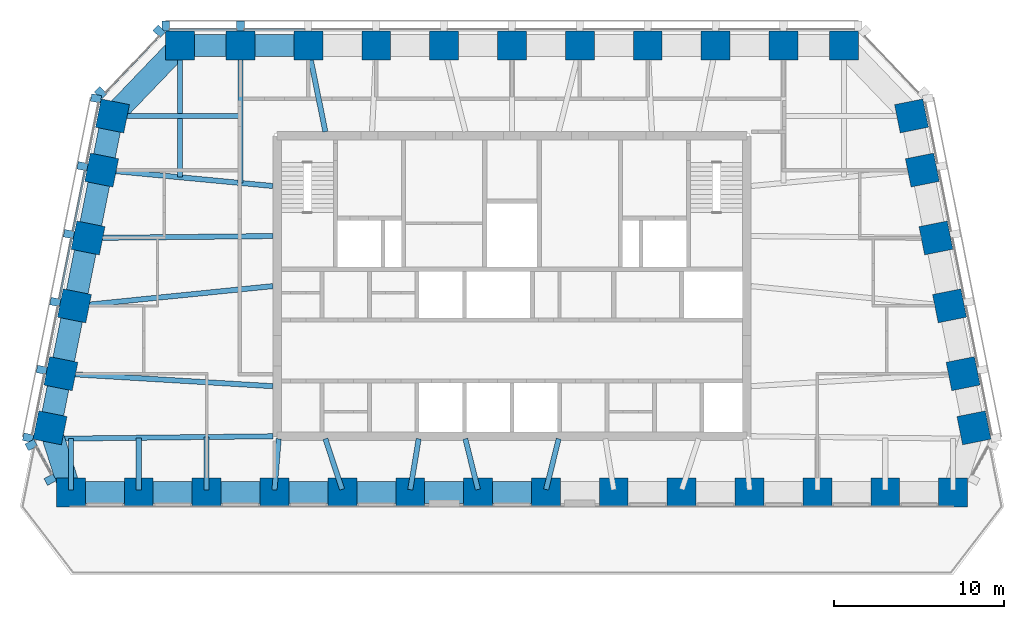
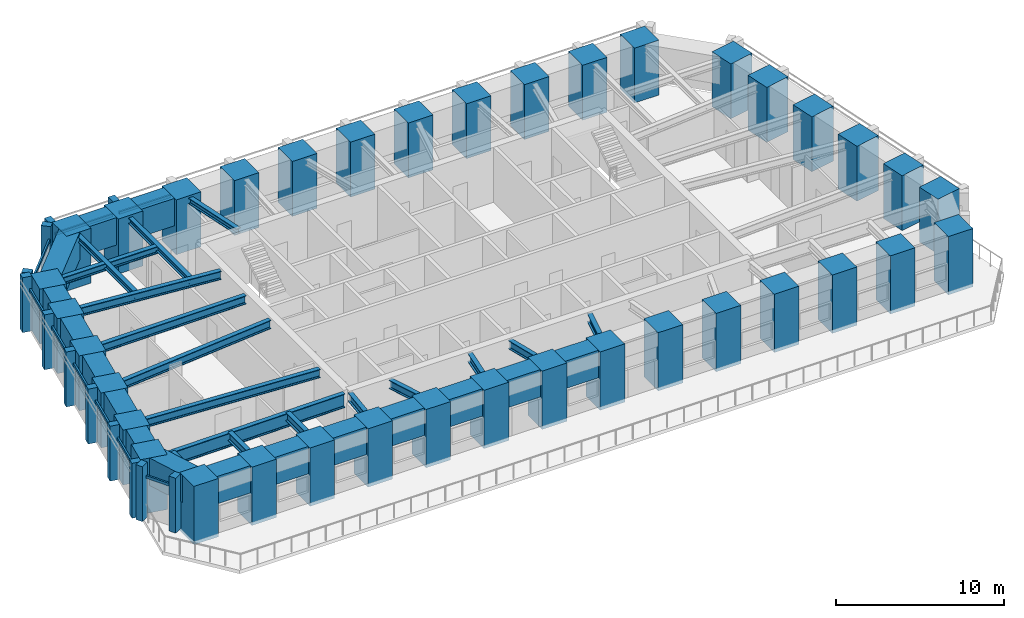
# One storey, part 1 of 9: 37 columns, 33 beams, 21 members, 4 elements without a shape of their own.
"""IFC4 building model written with IfcOpenShell, lengths in metres."""

from ifc_helpers import new_model, si_unit, direction, frame, origin, origin_2d, place, context, subcontext, project, spatial, rectangle, i_section, extrude, material, material_profile, profile_set, type_object, element, aggregate, save


model = new_model("IFC4")

# Units and contexts
model_context = context("Model", 3, precision=1e-05, world=origin(), true_north=direction((0.0, 1.0)))
body_context = subcontext(model_context, "Body", "Model", "MODEL_VIEW")
ifc_project = project(units=[si_unit("LENGTHUNIT", "METRE"), si_unit("AREAUNIT", "SQUARE_METRE"), si_unit("VOLUMEUNIT", "CUBIC_METRE"), si_unit("PLANEANGLEUNIT", "RADIAN"), si_unit("MASSUNIT", "GRAM", prefix="KILO")], contexts=[model_context])

# Site, building, storey
site_placement = place(None, origin())
site = spatial("IfcSite", under=ifc_project, at=site_placement, CompositionType="ELEMENT")
building_placement = place(site_placement, origin())
building = spatial("IfcBuilding", under=site, at=building_placement, Name="Isbrekke Arena Tower", CompositionType="ELEMENT")
storey_placement = place(building_placement, frame((0.0, 0.0, 308.0)))
storey = spatial("IfcBuildingStorey", under=building, at=storey_placement, Name="L72", CompositionType="ELEMENT", Elevation=308.0)

# Columns
ifc_material_1 = material(Name="Concrete B55 (C55/67)", Category="concrete")
ifc_material_profile_1 = material_profile(ifc_material_1, rectangle(XDim=1.699951171875, YDim=1.699951171875, at=origin_2d()), Name="RC 1700x1700")
ifc_profile_set_1 = profile_set([ifc_material_profile_1], Name="Concrete B55 (C55/67)")
column_type = type_object("IfcColumnType", Name="C5 RC 1700 x 1700", PredefinedType="COLUMN", material=ifc_profile_set_1)
for number, where, z_axis, x_axis, name in (
    (1, (-26.0, 2.824951171875, -0.25), (0.0, 0.0, 1.0), (1.0, 0.0, 0.0), "C5 S01"),
    (2, (-22.0, 2.824951171875, -0.25), (0.0, 0.0, 1.0), (1.0, 0.0, 0.0), "C5 S02"),
    (3, (-18.0, 2.824951171875, -0.25), (0.0, 0.0, 1.0), (1.0, 0.0, 0.0), "C5 S03"),
    (4, (-14.0, 2.824951171875, -0.25), (0.0, 0.0, 1.0), (1.0, 0.0, 0.0), "C5 S04"),
    (5, (-10.0, 2.824951171875, -0.25), (0.0, 0.0, 1.0), (1.0, 0.0, 0.0), "C5 S05"),
    (6, (-6.0, 2.824951171875, -0.25), (0.0, 0.0, 1.0), (1.0, 0.0, 0.0), "C5 S06"),
    (7, (-2.0, 2.824951171875, -0.25), (0.0, 0.0, 1.0), (1.0, 0.0, 0.0), "C5 S07"),
    (8, (2.0, 2.824951171875, -0.25), (0.0, 0.0, 1.0), (1.0, 0.0, 0.0), "C5 S08"),
    (9, (6.0, 2.824951171875, -0.25), (0.0, 0.0, 1.0), (1.0, 0.0, 0.0), "C5 S09"),
    (10, (10.0, 2.824951171875, -0.25), (0.0, 0.0, 1.0), (1.0, 0.0, 0.0), "C5 S10"),
    (11, (14.0, 2.824951171875, -0.25), (0.0, 0.0, 1.0), (1.0, 0.0, 0.0), "C5 S11"),
    (12, (18.0, 2.824951171875, -0.25), (0.0, 0.0, 1.0), (1.0, 0.0, 0.0), "C5 S12"),
    (13, (22.0, 2.824951171875, -0.25), (0.0, 0.0, 1.0), (1.0, 0.0, 0.0), "C5 S13"),
    (14, (26.0, 2.824951171875, -0.25), (0.0, 0.0, 1.0), (1.0, 0.0, 0.0), "C5 S14"),
):
    element("IfcColumn", number, at=place(storey_placement, frame(where, z_axis=z_axis, x_axis=x_axis)), inside=storey, type_object=column_type, Name=name, PredefinedType="COLUMN", context=body_context, shape_type="SweptSolid", body=[
        extrude(rectangle(XDim=1.699951171875, YDim=1.699951171875, at=origin_2d()), origin(), (0.0, 0.0, 1.0), 4.25),
    ])
for number, where, z_axis, x_axis, name in (
    (15, (27.229248046875, 6.647216796875, 0.0), (0.0, 0.0, 1.0), (-0.196116135138, 0.980580675691, 0.0), "C5 E01"),
    (16, (26.591064453125, 9.838134765625, 0.0), (0.0, 0.0, 1.0), (-0.196116135138, 0.980580675691, 0.0), "C5 E02"),
    (17, (25.791015625, 13.838134765625, 0.0), (0.0, 0.0, 1.0), (-0.196116135138, 0.980580675691, 0.0), "C5 E03"),
    (18, (24.990966796875, 17.838134765625, 0.0), (0.0, 0.0, 1.0), (-0.196116135138, 0.980580675691, 0.0), "C5 E04"),
    (19, (24.19091796875, 21.838134765625, 0.0), (0.0, 0.0, 1.0), (-0.196116135138, 0.980580675691, 0.0), "C5 E05"),
    (20, (23.552734375, 25.029296875, 0.0), (0.0, 0.0, 1.0), (-0.196116135138, 0.980580675691, 0.0), "C5 E06"),
    (21, (19.574951171875, 29.175048828125, 0.0), (0.0, 0.0, 1.0), (-1.0, 0.0, 0.0), "C5 N01"),
    (22, (16.0, 29.175048828125, 0.0), (0.0, 0.0, 1.0), (-1.0, 0.0, 0.0), "C5 N02"),
    (23, (12.0, 29.175048828125, 0.0), (0.0, 0.0, 1.0), (-1.0, 0.0, 0.0), "C5 N03"),
    (24, (8.0, 29.175048828125, 0.0), (0.0, 0.0, 1.0), (-1.0, 0.0, 0.0), "C5 N04"),
    (25, (4.0, 29.175048828125, 0.0), (0.0, 0.0, 1.0), (-1.0, 0.0, 0.0), "C5 N05"),
    (26, (0.0, 29.175048828125, 0.0), (0.0, 0.0, 1.0), (-1.0, 0.0, 0.0), "C5 N06"),
    (27, (-4.0, 29.175048828125, 0.0), (0.0, 0.0, 1.0), (-1.0, 0.0, 0.0), "C5 N07"),
    (28, (-8.0, 29.175048828125, 0.0), (0.0, 0.0, 1.0), (-1.0, 0.0, 0.0), "C5 N08"),
    (29, (-12.0, 29.175048828125, 0.0), (0.0, 0.0, 1.0), (-1.0, 0.0, 0.0), "C5 N09"),
    (30, (-16.0, 29.175048828125, 0.0), (0.0, 0.0, 1.0), (-1.0, 0.0, 0.0), "C5 N10"),
    (31, (-19.574951171875, 29.175048828125, 0.0), (0.0, 0.0, 1.0), (-1.0, 0.0, 0.0), "C5 N11"),
    (32, (-23.552734375, 25.029296875, 0.0), (0.0, 0.0, 1.0), (-0.196116135138, -0.980580675691, 0.0), "C5 W01"),
    (33, (-24.19091796875, 21.838134765625, 0.0), (0.0, 0.0, 1.0), (-0.196116135138, -0.980580675691, 0.0), "C5 W02"),
    (34, (-24.990966796875, 17.838134765625, 0.0), (0.0, 0.0, 1.0), (-0.196116135138, -0.980580675691, 0.0), "C5 W03"),
    (35, (-25.791015625, 13.838134765625, 0.0), (0.0, 0.0, 1.0), (-0.196116135138, -0.980580675691, 0.0), "C5 W04"),
    (36, (-26.591064453125, 9.838134765625, 0.0), (0.0, 0.0, 1.0), (-0.196116135138, -0.980580675691, 0.0), "C5 W05"),
    (37, (-27.229248046875, 6.647216796875, 0.0), (0.0, 0.0, 1.0), (-0.196116135138, -0.980580675691, 0.0), "C5 W06"),
):
    element("IfcColumn", number, at=place(storey_placement, frame(where, z_axis=z_axis, x_axis=x_axis)), inside=storey, type_object=column_type, Name=name, PredefinedType="COLUMN", context=body_context, shape_type="SweptSolid", body=[
        extrude(rectangle(XDim=1.699951171875, YDim=1.699951171875, at=origin_2d()), origin(), (0.0, 0.0, 1.0), 4.0),
    ])

# Beams
ifc_material_2 = material(Name="Steel S355", Category="steel")
ifc_material_profile_2 = material_profile(ifc_material_2, i_section(OverallWidth=0.304931640625, OverallDepth=0.6201171875, WebThickness=0.02099609375, FlangeThickness=0.0400390625, FilletRadius=0.027099609375, at=origin_2d()), Name="HEM 600")
ifc_profile_set_2 = profile_set([ifc_material_profile_2], Name="Steel S355")
beam_type_1 = type_object("IfcBeamType", Name="B4 HEM 600", PredefinedType="BEAM", material=ifc_profile_set_2)
beam_1_placement = place(storey_placement, frame((-26.0, 2.97509765625, 3.5400390625), z_axis=(0.0, 1.0, 0.0), x_axis=(-1.0, 0.0, 0.0)))
element("IfcBeam", 38, at=beam_1_placement, inside=storey, type_object=beam_type_1, Name="B4 beam C-S01 L72", PredefinedType="BEAM", context=body_context, shape_type="SweptSolid", body=[
    extrude(i_section(OverallWidth=0.304931640625, OverallDepth=0.6201171875, WebThickness=0.02099609375, FlangeThickness=0.0400390625, FilletRadius=0.027099609375, at=origin_2d()), origin(), (0.0, 0.0, 1.0), 3.0390625),
])
beam_2_placement = place(storey_placement, frame((-22.0, 2.97509765625, 3.5400390625), z_axis=(0.0, 1.0, 0.0), x_axis=(-1.0, 0.0, 0.0)))
element("IfcBeam", 39, at=beam_2_placement, inside=storey, type_object=beam_type_1, Name="B4 beam C-S02 L72", PredefinedType="BEAM", context=body_context, shape_type="SweptSolid", body=[
    extrude(i_section(OverallWidth=0.304931640625, OverallDepth=0.6201171875, WebThickness=0.02099609375, FlangeThickness=0.0400390625, FilletRadius=0.027099609375, at=origin_2d()), origin(), (0.0, 0.0, 1.0), 3.084716796875),
])
beam_3_placement = place(storey_placement, frame((-18.0, 2.97509765625, 3.5400390625), z_axis=(0.0, 1.0, 0.0), x_axis=(-1.0, 0.0, 0.0)))
element("IfcBeam", 40, at=beam_3_placement, inside=storey, type_object=beam_type_1, Name="B4 beam C-S03 L72", PredefinedType="BEAM", context=body_context, shape_type="SweptSolid", body=[
    extrude(i_section(OverallWidth=0.304931640625, OverallDepth=0.6201171875, WebThickness=0.02099609375, FlangeThickness=0.0400390625, FilletRadius=0.027099609375, at=origin_2d()), origin(), (0.0, 0.0, 1.0), 3.13037109375),
])
beam_4_placement = place(storey_placement, frame((-13.9990234375, 2.987548828125, 3.5400390625), z_axis=(0.082383718089, 0.996600683822, 0.0), x_axis=(-0.996600683822, 0.082383718089, 0.0)))
element("IfcBeam", 41, at=beam_4_placement, inside=storey, type_object=beam_type_1, Name="B4 beam C-S04 L72", PredefinedType="BEAM", context=body_context, shape_type="SweptSolid", body=[
    extrude(i_section(OverallWidth=0.304931640625, OverallDepth=0.6201171875, WebThickness=0.02099609375, FlangeThickness=0.0400390625, FilletRadius=0.027099609375, at=origin_2d()), origin(), (0.0, 0.0, 1.0), 3.022705078125),
])
beam_5_placement = place(storey_placement, frame((-10.01513671875, 3.0205078125, 3.5400390625), z_axis=(-0.313846083605, 0.949473873156, 0.0), x_axis=(-0.949473873156, -0.313846083605, 0.0)))
element("IfcBeam", 42, at=beam_5_placement, inside=storey, type_object=beam_type_1, Name="B4 beam C-S05 L72", PredefinedType="BEAM", context=body_context, shape_type="SweptSolid", body=[
    extrude(i_section(OverallWidth=0.304931640625, OverallDepth=0.6201171875, WebThickness=0.02099609375, FlangeThickness=0.0400390625, FilletRadius=0.027099609375, at=origin_2d()), origin(), (0.0, 0.0, 1.0), 3.137939453125),
])
beam_6_placement = place(storey_placement, frame((-5.995849609375, 2.99951171875, 3.5400390625), z_axis=(0.163044952053, 0.986618641426, 0.0), x_axis=(-0.986618641426, 0.163044952053, 0.0)))
element("IfcBeam", 43, at=beam_6_placement, inside=storey, type_object=beam_type_1, Name="B4 beam C-S06 L72", PredefinedType="BEAM", context=body_context, shape_type="SweptSolid", body=[
    extrude(i_section(OverallWidth=0.304931640625, OverallDepth=0.6201171875, WebThickness=0.02099609375, FlangeThickness=0.0400390625, FilletRadius=0.027099609375, at=origin_2d()), origin(), (0.0, 0.0, 1.0), 3.041259765625),
])
for number, where, z_axis, x_axis, name in (
    (44, (-2.0087890625, 3.0107421875, 3.5400390625), (-0.240669951999, 0.970607013268, 0.0), (-0.970607013268, -0.240669951999, 0.0), "B4 beam C-S07 L72"),
    (45, (2.0087890625, 3.0107421875, 3.5400390625), (0.240669951999, 0.970607013268, 0.0), (-0.970607013268, 0.240669951999, 0.0), "B4 beam C-S08 L72"),
):
    element("IfcBeam", number, at=place(storey_placement, frame(where, z_axis=z_axis, x_axis=x_axis)), inside=storey, type_object=beam_type_1, Name=name, PredefinedType="BEAM", context=body_context, shape_type="SweptSolid", body=[
        extrude(i_section(OverallWidth=0.304931640625, OverallDepth=0.6201171875, WebThickness=0.02099609375, FlangeThickness=0.0400390625, FilletRadius=0.027099609375, at=origin_2d()), origin(), (0.0, 0.0, 1.0), 3.079833984375),
    ])
beam_7_placement = place(storey_placement, frame((-24.02685546875, 21.8369140625, 3.5400390625), z_axis=(0.995574576627, -0.093974796485, 0.0), x_axis=(0.093974796485, 0.995574576627, 0.0)))
element("IfcBeam", 46, at=beam_7_placement, inside=storey, type_object=beam_type_1, Name="B4 beam E-W02 L72", PredefinedType="BEAM", context=body_context, shape_type="SweptSolid", body=[
    extrude(i_section(OverallWidth=0.304931640625, OverallDepth=0.6201171875, WebThickness=0.02099609375, FlangeThickness=0.0400390625, FilletRadius=0.027099609375, at=origin_2d()), origin(), (0.0, 0.0, 1.0), 9.970947265625),
])
beam_8_placement = place(storey_placement, frame((-24.83935546875, 17.838134765625, 3.5400390625), z_axis=(0.999945800258, 0.010411366203, 0.0), x_axis=(-0.010411366203, 0.999945800258, 0.0)))
element("IfcBeam", 47, at=beam_8_placement, inside=storey, type_object=beam_type_1, Name="B4 beam E-W03 L72", PredefinedType="BEAM", context=body_context, shape_type="SweptSolid", body=[
    extrude(i_section(OverallWidth=0.304931640625, OverallDepth=0.6201171875, WebThickness=0.02099609375, FlangeThickness=0.0400390625, FilletRadius=0.027099609375, at=origin_2d()), origin(), (0.0, 0.0, 1.0), 10.73974609375),
])
beam_9_placement = place(storey_placement, frame((-25.625732421875, 13.83984375, 3.5400390625), z_axis=(0.994972081505, 0.100152668587, 0.0), x_axis=(-0.100152668587, 0.994972081505, 0.0)))
element("IfcBeam", 48, at=beam_9_placement, inside=storey, type_object=beam_type_1, Name="B4 beam E-W04 L72", PredefinedType="BEAM", context=body_context, shape_type="SweptSolid", body=[
    extrude(i_section(OverallWidth=0.304931640625, OverallDepth=0.6201171875, WebThickness=0.02099609375, FlangeThickness=0.0400390625, FilletRadius=0.027099609375, at=origin_2d()), origin(), (0.0, 0.0, 1.0), 11.583984375),
])
beam_10_placement = place(storey_placement, frame((-26.431884765625, 9.837646484375, 3.5400390625), z_axis=(0.998216240514, -0.059702070095, 0.0), x_axis=(0.059702070095, 0.998216240514, 0.0)))
element("IfcBeam", 49, at=beam_10_placement, inside=storey, type_object=beam_type_1, Name="B4 beam E-W05 L72", PredefinedType="BEAM", context=body_context, shape_type="SweptSolid", body=[
    extrude(i_section(OverallWidth=0.304931640625, OverallDepth=0.6201171875, WebThickness=0.02099609375, FlangeThickness=0.0400390625, FilletRadius=0.027099609375, at=origin_2d()), origin(), (0.0, 0.0, 1.0), 12.353759765625),
])
ifc_material_3 = material(Name="Steel S355", Category="steel")
ifc_material_profile_3 = material_profile(ifc_material_3, i_section(OverallWidth=0.305908203125, OverallDepth=0.52392578125, WebThickness=0.02099609375, FlangeThickness=0.0400390625, FilletRadius=0.027099609375, at=origin_2d()), Name="HEM 500")
ifc_profile_set_3 = profile_set([ifc_material_profile_3], Name="Steel S355")
beam_type_2 = type_object("IfcBeamType", Name="B5 HEM 500", PredefinedType="BEAM", material=ifc_profile_set_3)
beam_11_placement = place(storey_placement, frame((-23.40283203125, 25.029296875, 3.587890625), z_axis=(1.0, 0.0, 0.0), x_axis=(0.0, 1.0, 0.0)))
element("IfcBeam", 50, at=beam_11_placement, inside=storey, type_object=beam_type_2, Name="B5 beam E-W01 L72", PredefinedType="BEAM", context=body_context, shape_type="SweptSolid", body=[
    extrude(i_section(OverallWidth=0.305908203125, OverallDepth=0.52392578125, WebThickness=0.02099609375, FlangeThickness=0.0400390625, FilletRadius=0.027099609375, at=origin_2d()), origin(), (0.0, 0.0, 1.0), 7.40283203125),
])
ifc_material_4 = material(Name="Steel S355", Category="steel")
ifc_material_profile_4 = material_profile(ifc_material_4, i_section(OverallWidth=0.306884765625, OverallDepth=0.431884765625, WebThickness=0.02099609375, FlangeThickness=0.0400390625, FilletRadius=0.027099609375, at=origin_2d()), Name="HEM 400")
ifc_profile_set_4 = profile_set([ifc_material_profile_4], Name="Steel S355")
beam_type_3 = type_object("IfcBeamType", Name="B6 HEM 400", PredefinedType="BEAM", material=ifc_profile_set_4)
beam_12_placement = place(storey_placement, frame((-16.0, 29.02490234375, 3.634033203125), z_axis=(0.0, -1.0, 0.0), x_axis=(1.0, 0.0, 0.0)))
element("IfcBeam", 51, at=beam_12_placement, inside=storey, type_object=beam_type_3, Name="B6 beam N-N10 L72", PredefinedType="BEAM", context=body_context, shape_type="SweptSolid", body=[
    extrude(i_section(OverallWidth=0.306884765625, OverallDepth=0.431884765625, WebThickness=0.02099609375, FlangeThickness=0.0400390625, FilletRadius=0.027099609375, at=origin_2d()), origin(), (0.0, 0.0, 1.0), 7.945556640625),
])
beam_13_placement = place(storey_placement, frame((-19.574951171875, 29.02490234375, 3.634033203125), z_axis=(0.0, -1.0, 0.0), x_axis=(1.0, 0.0, 0.0)))
element("IfcBeam", 52, at=beam_13_placement, inside=storey, type_object=beam_type_3, Name="B6 beam N-N11 L72", PredefinedType="BEAM", context=body_context, shape_type="SweptSolid", body=[
    extrude(i_section(OverallWidth=0.306884765625, OverallDepth=0.431884765625, WebThickness=0.02099609375, FlangeThickness=0.0400390625, FilletRadius=0.027099609375, at=origin_2d()), origin(), (0.0, 0.0, 1.0), 7.608154296875),
])
beam_14_placement = place(storey_placement, frame((-11.993896484375, 28.9951171875, 3.634033203125), z_axis=(0.198982177337, -0.980003108721, 0.0), x_axis=(0.980003108721, 0.198982177337, 0.0)))
element("IfcBeam", 53, at=beam_14_placement, inside=storey, type_object=beam_type_3, Name="B6 beam N-N09 L72", PredefinedType="BEAM", context=body_context, shape_type="SweptSolid", body=[
    extrude(i_section(OverallWidth=0.306884765625, OverallDepth=0.431884765625, WebThickness=0.02099609375, FlangeThickness=0.0400390625, FilletRadius=0.027099609375, at=origin_2d()), origin(), (0.0, 0.0, 1.0), 4.994873046875),
])

# Curtain wall, members
ifc_material_5 = material(Name="Glazed aluminium curtain wall", Category="aluminium")
curtain_wall_type = type_object("IfcCurtainWallType", Name="CWT TOWER CURTAIN WALL TOP ZONE", PredefinedType="USERDEFINED", material=ifc_material_5)
curtain_wall_1_placement = place(storey_placement, origin())
curtain_wall_1 = element("IfcCurtainWall", 54, at=curtain_wall_1_placement, inside=storey, type_object=curtain_wall_type, Name="CWT curtain wall L72-N", ObjectType="TOWER CURTAIN WALL TOP ZONE", PredefinedType="USERDEFINED")
ifc_material_6 = material(Name="Copper-clad aluminium mullion", Category="aluminium")
ifc_material_profile_5 = material_profile(ifc_material_6, rectangle(XDim=0.449951171875, YDim=0.60009765625, at=origin_2d()), Name="PIER 450X600")
ifc_profile_set_5 = profile_set([ifc_material_profile_5], Name="Copper-clad aluminium mullion")
member_type_1 = type_object("IfcMemberType", Name="CWT-M PIER MULLION 450 x 600", PredefinedType="MULLION", material=ifc_profile_set_5)
member_1_placement = place(storey_placement, frame((-16.0, 30.324951171875, 0.0), z_axis=(0.0, 0.0, 1.0), x_axis=(-1.0, 0.0, 0.0)))
member_1 = element("IfcMember", 55, at=member_1_placement, type_object=member_type_1, Name="CWT-M mullion 10", PredefinedType="MULLION", context=body_context, shape_type="SweptSolid", body=[
    extrude(rectangle(XDim=0.449951171875, YDim=0.60009765625, at=origin_2d()), origin(), (0.0, 0.0, 1.0), 4.0),
])
member_2_placement = place(storey_placement, frame((-20.39990234375, 30.324951171875, 0.0), z_axis=(0.0, 0.0, 1.0), x_axis=(-1.0, 0.0, 0.0)))
member_2 = element("IfcMember", 56, at=member_2_placement, type_object=member_type_1, Name="CWT-M mullion 11", PredefinedType="MULLION", context=body_context, shape_type="SweptSolid", body=[
    extrude(rectangle(XDim=0.449951171875, YDim=0.60009765625, at=origin_2d()), origin(), (0.0, 0.0, 1.0), 4.0),
])

curtain_wall_2_placement = place(storey_placement, origin())
curtain_wall_2 = element("IfcCurtainWall", 57, at=curtain_wall_2_placement, inside=storey, type_object=curtain_wall_type, Name="CWT curtain wall L72-NW", ObjectType="TOWER CURTAIN WALL TOP ZONE", PredefinedType="USERDEFINED")
member_3_placement = place(storey_placement, frame((-20.795166015625, 30.01953125, 0.0), z_axis=(0.0, 0.0, 1.0), x_axis=(-0.68874946192, -0.72499943359, 0.0)))
member_3 = element("IfcMember", 58, at=member_3_placement, type_object=member_type_1, Name="CWT-M mullion 1", PredefinedType="MULLION", context=body_context, shape_type="SweptSolid", body=[
    extrude(rectangle(XDim=0.449951171875, YDim=0.60009765625, at=origin_2d()), origin(), (0.0, 0.0, 1.0), 4.0),
])
member_4_placement = place(storey_placement, frame((-24.243896484375, 26.389404296875, 0.0), z_axis=(0.0, 0.0, 1.0), x_axis=(-0.68874946192, -0.72499943359, 0.0)))
member_4 = element("IfcMember", 59, at=member_4_placement, type_object=member_type_1, Name="CWT-M mullion 2", PredefinedType="MULLION", context=body_context, shape_type="SweptSolid", body=[
    extrude(rectangle(XDim=0.449951171875, YDim=0.60009765625, at=origin_2d()), origin(), (0.0, 0.0, 1.0), 4.0),
])

curtain_wall_3_placement = place(storey_placement, origin())
curtain_wall_3 = element("IfcCurtainWall", 60, at=curtain_wall_3_placement, inside=storey, type_object=curtain_wall_type, Name="CWT curtain wall L72-W", ObjectType="TOWER CURTAIN WALL TOP ZONE", PredefinedType="USERDEFINED")
member_5_placement = place(storey_placement, frame((-24.518798828125, 26.063720703125, 0.0), z_axis=(0.0, 0.0, 1.0), x_axis=(-0.196116135138, -0.980580675691, 0.0)))
member_5 = element("IfcMember", 61, at=member_5_placement, type_object=member_type_1, Name="CWT-M mullion 1", PredefinedType="MULLION", context=body_context, shape_type="SweptSolid", body=[
    extrude(rectangle(XDim=0.449951171875, YDim=0.60009765625, at=origin_2d()), origin(), (0.0, 0.0, 1.0), 4.0),
])
member_6_placement = place(storey_placement, frame((-25.318603515625, 22.063720703125, 0.0), z_axis=(0.0, 0.0, 1.0), x_axis=(-0.196116135138, -0.980580675691, 0.0)))
member_6 = element("IfcMember", 62, at=member_6_placement, type_object=member_type_1, Name="CWT-M mullion 2", PredefinedType="MULLION", context=body_context, shape_type="SweptSolid", body=[
    extrude(rectangle(XDim=0.449951171875, YDim=0.60009765625, at=origin_2d()), origin(), (0.0, 0.0, 1.0), 4.0),
])
member_7_placement = place(storey_placement, frame((-26.11865234375, 18.063720703125, 0.0), z_axis=(0.0, 0.0, 1.0), x_axis=(-0.196116135138, -0.980580675691, 0.0)))
member_7 = element("IfcMember", 63, at=member_7_placement, type_object=member_type_1, Name="CWT-M mullion 3", PredefinedType="MULLION", context=body_context, shape_type="SweptSolid", body=[
    extrude(rectangle(XDim=0.449951171875, YDim=0.60009765625, at=origin_2d()), origin(), (0.0, 0.0, 1.0), 4.0),
])
member_8_placement = place(storey_placement, frame((-26.918701171875, 14.063720703125, 0.0), z_axis=(0.0, 0.0, 1.0), x_axis=(-0.196116135138, -0.980580675691, 0.0)))
member_8 = element("IfcMember", 64, at=member_8_placement, type_object=member_type_1, Name="CWT-M mullion 4", PredefinedType="MULLION", context=body_context, shape_type="SweptSolid", body=[
    extrude(rectangle(XDim=0.449951171875, YDim=0.60009765625, at=origin_2d()), origin(), (0.0, 0.0, 1.0), 4.0),
])
member_9_placement = place(storey_placement, frame((-27.71875, 10.063720703125, 0.0), z_axis=(0.0, 0.0, 1.0), x_axis=(-0.196116135138, -0.980580675691, 0.0)))
member_9 = element("IfcMember", 65, at=member_9_placement, type_object=member_type_1, Name="CWT-M mullion 5", PredefinedType="MULLION", context=body_context, shape_type="SweptSolid", body=[
    extrude(rectangle(XDim=0.449951171875, YDim=0.60009765625, at=origin_2d()), origin(), (0.0, 0.0, 1.0), 4.0),
])
member_10_placement = place(storey_placement, frame((-28.518798828125, 6.063720703125, 0.0), z_axis=(0.0, 0.0, 1.0), x_axis=(-0.196116135138, -0.980580675691, 0.0)))
member_10 = element("IfcMember", 66, at=member_10_placement, type_object=member_type_1, Name="CWT-M mullion 6", PredefinedType="MULLION", context=body_context, shape_type="SweptSolid", body=[
    extrude(rectangle(XDim=0.449951171875, YDim=0.60009765625, at=origin_2d()), origin(), (0.0, 0.0, 1.0), 4.0),
])

curtain_wall_4_placement = place(storey_placement, origin())
curtain_wall_4 = element("IfcCurtainWall", 67, at=curtain_wall_4_placement, inside=storey, type_object=curtain_wall_type, Name="CWT curtain wall L72-WS", ObjectType="TOWER CURTAIN WALL TOP ZONE", PredefinedType="USERDEFINED")
member_11_placement = place(storey_placement, frame((-28.34033203125, 5.632568359375, 0.0), z_axis=(0.0, 0.0, 1.0), x_axis=(0.481918749773, -0.876215908676, 0.0)))
member_11 = element("IfcMember", 68, at=member_11_placement, type_object=member_type_1, Name="CWT-M mullion 1", PredefinedType="MULLION", context=body_context, shape_type="SweptSolid", body=[
    extrude(rectangle(XDim=0.449951171875, YDim=0.60009765625, at=origin_2d()), origin(), (0.0, 0.0, 1.0), 4.0),
])
member_12_placement = place(storey_placement, frame((-27.21826171875, 3.592529296875, 0.0), z_axis=(0.0, 0.0, 1.0), x_axis=(0.481918749773, -0.876215908676, 0.0)))
member_12 = element("IfcMember", 69, at=member_12_placement, type_object=member_type_1, Name="CWT-M mullion 2", PredefinedType="MULLION", context=body_context, shape_type="SweptSolid", body=[
    extrude(rectangle(XDim=0.449951171875, YDim=0.60009765625, at=origin_2d()), origin(), (0.0, 0.0, 1.0), 4.0),
])

# Member
ifc_material_7 = material(Name="Aluminium transom", Category="aluminium")
ifc_material_profile_6 = material_profile(ifc_material_7, rectangle(XDim=0.1201171875, YDim=0.199951171875, at=origin_2d()), Name="TRANSOM 120X200")
ifc_profile_set_6 = profile_set([ifc_material_profile_6], Name="Aluminium transom")
member_type_2 = type_object("IfcMemberType", Name="CWT-T TRANSOM 120 x 200", PredefinedType="USERDEFINED", material=ifc_profile_set_6)
member_13_placement = place(storey_placement, frame((-12.22509765625, 30.125, 3.0), z_axis=(-1.0, 0.0, 0.0), x_axis=(0.0, -1.0, 0.0)))
member_13 = element("IfcMember", 70, at=member_13_placement, type_object=member_type_2, Name="CWT-T transom 9", ObjectType="TRANSOM", PredefinedType="USERDEFINED", context=body_context, shape_type="SweptSolid", body=[
    extrude(rectangle(XDim=0.1201171875, YDim=0.199951171875, at=origin_2d()), origin(), (0.0, 0.0, 1.0), 3.5498046875),
])

member_14_placement = place(storey_placement, frame((-16.22509765625, 30.125, 3.0), z_axis=(-1.0, 0.0, 0.0), x_axis=(0.0, -1.0, 0.0)))
member_14 = element("IfcMember", 71, at=member_14_placement, type_object=member_type_2, Name="CWT-T transom 10", ObjectType="TRANSOM", PredefinedType="USERDEFINED", context=body_context, shape_type="SweptSolid", body=[
    extrude(rectangle(XDim=0.1201171875, YDim=0.199951171875, at=origin_2d()), origin(), (0.0, 0.0, 1.0), 3.949951171875),
])

aggregate(curtain_wall_1, [member_1, member_2, member_13, member_14])

member_15_placement = place(storey_placement, frame((-20.80517578125, 29.71875, 3.0), z_axis=(-0.688739606035, -0.725008796552, 0.0), x_axis=(0.725008796552, -0.688739606035, 0.0)))
member_15 = element("IfcMember", 72, at=member_15_placement, type_object=member_type_2, Name="CWT-T transom 1", ObjectType="TRANSOM", PredefinedType="USERDEFINED", context=body_context, shape_type="SweptSolid", body=[
    extrude(rectangle(XDim=0.1201171875, YDim=0.199951171875, at=origin_2d()), origin(), (0.0, 0.0, 1.0), 4.55712890625),
])

aggregate(curtain_wall_2, [member_3, member_4, member_15])

member_16_placement = place(storey_placement, frame((-24.36669921875, 25.803955078125, 3.0), z_axis=(-0.196090262229, -0.980585849918, 0.0), x_axis=(0.980585849918, -0.196090262229, 0.0)))
member_16 = element("IfcMember", 73, at=member_16_placement, type_object=member_type_2, Name="CWT-T transom 1", ObjectType="TRANSOM", PredefinedType="USERDEFINED", context=body_context, shape_type="SweptSolid", body=[
    extrude(rectangle(XDim=0.1201171875, YDim=0.199951171875, at=origin_2d()), origin(), (0.0, 0.0, 1.0), 3.62939453125),
])

member_17_placement = place(storey_placement, frame((-25.166748046875, 21.803955078125, 3.0), z_axis=(-0.196090262229, -0.980585849918, 0.0), x_axis=(0.980585849918, -0.196090262229, 0.0)))
member_17 = element("IfcMember", 74, at=member_17_placement, type_object=member_type_2, Name="CWT-T transom 2", ObjectType="TRANSOM", PredefinedType="USERDEFINED", context=body_context, shape_type="SweptSolid", body=[
    extrude(rectangle(XDim=0.1201171875, YDim=0.199951171875, at=origin_2d()), origin(), (0.0, 0.0, 1.0), 3.62939453125),
])

member_18_placement = place(storey_placement, frame((-25.966796875, 17.803955078125, 3.0), z_axis=(-0.196090262229, -0.980585849918, 0.0), x_axis=(0.980585849918, -0.196090262229, 0.0)))
member_18 = element("IfcMember", 75, at=member_18_placement, type_object=member_type_2, Name="CWT-T transom 3", ObjectType="TRANSOM", PredefinedType="USERDEFINED", context=body_context, shape_type="SweptSolid", body=[
    extrude(rectangle(XDim=0.1201171875, YDim=0.199951171875, at=origin_2d()), origin(), (0.0, 0.0, 1.0), 3.62939453125),
])

member_19_placement = place(storey_placement, frame((-26.7666015625, 13.803955078125, 3.0), z_axis=(-0.196154943734, -0.980572913173, 0.0), x_axis=(0.980572913173, -0.196154943734, 0.0)))
member_19 = element("IfcMember", 76, at=member_19_placement, type_object=member_type_2, Name="CWT-T transom 4", ObjectType="TRANSOM", PredefinedType="USERDEFINED", context=body_context, shape_type="SweptSolid", body=[
    extrude(rectangle(XDim=0.1201171875, YDim=0.199951171875, at=origin_2d()), origin(), (0.0, 0.0, 1.0), 3.62939453125),
])

member_20_placement = place(storey_placement, frame((-27.566650390625, 9.803955078125, 3.0), z_axis=(-0.196154943734, -0.980572913173, 0.0), x_axis=(0.980572913173, -0.196154943734, 0.0)))
member_20 = element("IfcMember", 77, at=member_20_placement, type_object=member_type_2, Name="CWT-T transom 5", ObjectType="TRANSOM", PredefinedType="USERDEFINED", context=body_context, shape_type="SweptSolid", body=[
    extrude(rectangle(XDim=0.1201171875, YDim=0.199951171875, at=origin_2d()), origin(), (0.0, 0.0, 1.0), 3.62939453125),
])

aggregate(curtain_wall_3, [member_5, member_6, member_7, member_8, member_9, member_10, member_16, member_17, member_18, member_19, member_20])

member_21_placement = place(storey_placement, frame((-28.056640625, 5.53173828125, 3.0), z_axis=(0.481918749772, -0.876215908677, 0.0), x_axis=(0.876215908677, 0.481918749772, 0.0)))
member_21 = element("IfcMember", 78, at=member_21_placement, type_object=member_type_2, Name="CWT-T transom 1", ObjectType="TRANSOM", PredefinedType="USERDEFINED", context=body_context, shape_type="SweptSolid", body=[
    extrude(rectangle(XDim=0.1201171875, YDim=0.199951171875, at=origin_2d()), origin(), (0.0, 0.0, 1.0), 1.8779296875),
])

aggregate(curtain_wall_4, [member_11, member_12, member_21])

# Beams
ifc_material_8 = material(Name="Steel S355", Category="steel")
ifc_material_profile_7 = material_profile(ifc_material_8, i_section(OverallWidth=0.302001953125, OverallDepth=1.008056640625, WebThickness=0.02099609375, FlangeThickness=0.0400390625, FilletRadius=0.030029296875, at=origin_2d()), Name="HEM 1000")
ifc_profile_set_7 = profile_set([ifc_material_profile_7], Name="Steel S355")
beam_type_4 = type_object("IfcBeamType", Name="G2 HEM 1000", PredefinedType="BEAM", material=ifc_profile_set_7)
beam_15_placement = place(storey_placement, frame((-14.10009765625, 6.14990234375, 3.345947265625), z_axis=(-0.999934809516, -0.011418262471, 0.0), x_axis=(0.011418262471, -0.999934809516, 0.0)))
element("IfcBeam", 79, at=beam_15_placement, inside=storey, type_object=beam_type_4, Name="G2 beam G2-W L72", PredefinedType="BEAM", context=body_context, shape_type="SweptSolid", body=[
    extrude(i_section(OverallWidth=0.302001953125, OverallDepth=1.008056640625, WebThickness=0.02099609375, FlangeThickness=0.0400390625, FilletRadius=0.030029296875, at=origin_2d()), origin(), (0.0, 0.0, 1.0), 13.12841796875),
])
ifc_material_9 = material(Name="Concrete B55 (C55/67)", Category="concrete")
ifc_material_profile_8 = material_profile(ifc_material_9, rectangle(XDim=1.300048828125, YDim=2.0, at=origin_2d()), Name="RC 1300x2000")
ifc_profile_set_8 = profile_set([ifc_material_profile_8], Name="Concrete B55 (C55/67)")
beam_type_5 = type_object("IfcBeamType", Name="SB4 RC 1300 x 2000", PredefinedType="SPANDREL", material=ifc_profile_set_8)
for number, where, z_axis, x_axis, name in (
    (80, (-25.85009765625, 2.824951171875, 3.0), (1.0, 0.0, 0.0), (0.0, 1.0, 0.0), "SB4 spandrel S01-S02 L72"),
    (81, (-21.85009765625, 2.824951171875, 3.0), (1.0, 0.0, 0.0), (0.0, 1.0, 0.0), "SB4 spandrel S02-S03 L72"),
    (82, (-17.85009765625, 2.824951171875, 3.0), (1.0, 0.0, 0.0), (0.0, 1.0, 0.0), "SB4 spandrel S03-S04 L72"),
    (83, (-13.85009765625, 2.824951171875, 3.0), (1.0, 0.0, 0.0), (0.0, 1.0, 0.0), "SB4 spandrel S04-S05 L72"),
    (84, (-9.85009765625, 2.824951171875, 3.0), (1.0, 0.0, 0.0), (0.0, 1.0, 0.0), "SB4 spandrel S05-S06 L72"),
    (85, (-5.85009765625, 2.824951171875, 3.0), (1.0, 0.0, 0.0), (0.0, 1.0, 0.0), "SB4 spandrel S06-S07 L72"),
    (86, (-1.85009765625, 2.824951171875, 3.0), (1.0, 0.0, 0.0), (0.0, 1.0, 0.0), "SB4 spandrel S07-S08 L72"),
    (87, (-12.14990234375, 29.175048828125, 3.0), (-1.0, 0.0, 0.0), (0.0, -1.0, 0.0), "SB4 spandrel N09-N10 L72"),
):
    element("IfcBeam", number, at=place(storey_placement, frame(where, z_axis=z_axis, x_axis=x_axis)), inside=storey, type_object=beam_type_5, Name=name, PredefinedType="SPANDREL", context=body_context, shape_type="SweptSolid", body=[
        extrude(rectangle(XDim=1.300048828125, YDim=2.0, at=origin_2d()), origin(), (0.0, 0.0, 1.0), 3.7001953125),
    ])
beam_16_placement = place(storey_placement, frame((-16.14990234375, 29.175048828125, 3.0), z_axis=(-1.0, 0.0, 0.0), x_axis=(0.0, -1.0, 0.0)))
element("IfcBeam", 88, at=beam_16_placement, inside=storey, type_object=beam_type_5, Name="SB4 spandrel N10-N11 L72", PredefinedType="SPANDREL", context=body_context, shape_type="SweptSolid", body=[
    extrude(rectangle(XDim=1.300048828125, YDim=2.0, at=origin_2d()), origin(), (0.0, 0.0, 1.0), 3.275146484375),
])
beam_17_placement = place(storey_placement, frame((-19.678955078125, 29.066650390625, 3.0), z_axis=(-0.692339547635, -0.721571861134, 0.0), x_axis=(0.721571861134, -0.692339547635, 0.0)))
element("IfcBeam", 89, at=beam_17_placement, inside=storey, type_object=beam_type_5, Name="SB4 spandrel N11-W01 L72", PredefinedType="SPANDREL", context=body_context, shape_type="SweptSolid", body=[
    extrude(rectangle(XDim=1.300048828125, YDim=2.0, at=origin_2d()), origin(), (0.0, 0.0, 1.0), 5.4453125),
])
beam_18_placement = place(storey_placement, frame((-23.582275390625, 24.882080078125, 3.0), z_axis=(-0.196116135138, -0.980580675691, 0.0), x_axis=(0.980580675691, -0.196116135138, 0.0)))
element("IfcBeam", 90, at=beam_18_placement, inside=storey, type_object=beam_type_5, Name="SB4 spandrel W01-W02 L72", PredefinedType="SPANDREL", context=body_context, shape_type="SweptSolid", body=[
    extrude(rectangle(XDim=1.300048828125, YDim=2.0, at=origin_2d()), origin(), (0.0, 0.0, 1.0), 2.9541015625),
])
for number, where, z_axis, x_axis, name in (
    (91, (-24.220458984375, 21.691162109375, 3.0), (-0.196128558387, -0.980578190959, 0.0), (0.980578190959, -0.196128558387, 0.0), "SB4 spandrel W02-W03 L72"),
    (92, (-25.0205078125, 17.691162109375, 3.0), (-0.196128558387, -0.980578190959, 0.0), (0.980578190959, -0.196128558387, 0.0), "SB4 spandrel W03-W04 L72"),
):
    element("IfcBeam", number, at=place(storey_placement, frame(where, z_axis=z_axis, x_axis=x_axis)), inside=storey, type_object=beam_type_5, Name=name, PredefinedType="SPANDREL", context=body_context, shape_type="SweptSolid", body=[
        extrude(rectangle(XDim=1.300048828125, YDim=2.0, at=origin_2d()), origin(), (0.0, 0.0, 1.0), 3.779296875),
    ])
beam_19_placement = place(storey_placement, frame((-25.820556640625, 13.691162109375, 3.0), z_axis=(-0.1960664412, -0.980590613169, 0.0), x_axis=(0.980590613169, -0.1960664412, 0.0)))
element("IfcBeam", 93, at=beam_19_placement, inside=storey, type_object=beam_type_5, Name="SB4 spandrel W04-W05 L72", PredefinedType="SPANDREL", context=body_context, shape_type="SweptSolid", body=[
    extrude(rectangle(XDim=1.300048828125, YDim=2.0, at=origin_2d()), origin(), (0.0, 0.0, 1.0), 3.779052734375),
])
beam_20_placement = place(storey_placement, frame((-26.620361328125, 9.691162109375, 3.0), z_axis=(-0.196100243168, -0.980583853951, 0.0), x_axis=(0.980583853951, -0.196100243168, 0.0)))
element("IfcBeam", 94, at=beam_20_placement, inside=storey, type_object=beam_type_5, Name="SB4 spandrel W05-W06 L72", PredefinedType="SPANDREL", context=body_context, shape_type="SweptSolid", body=[
    extrude(rectangle(XDim=1.300048828125, YDim=2.0, at=origin_2d()), origin(), (0.0, 0.0, 1.0), 2.954345703125),
])
beam_21_placement = place(storey_placement, frame((-27.183349609375, 6.50439453125, 3.0), z_axis=(0.306175101476, -0.951975213562, 0.0), x_axis=(0.951975213562, 0.306175101476, 0.0)))
element("IfcBeam", 95, at=beam_21_placement, inside=storey, type_object=beam_type_5, Name="SB4 spandrel W06-S01 L72", PredefinedType="SPANDREL", context=body_context, shape_type="SweptSolid", body=[
    extrude(rectangle(XDim=1.300048828125, YDim=2.0, at=origin_2d()), origin(), (0.0, 0.0, 1.0), 3.715087890625),
])

save(model, "model.ifc")
